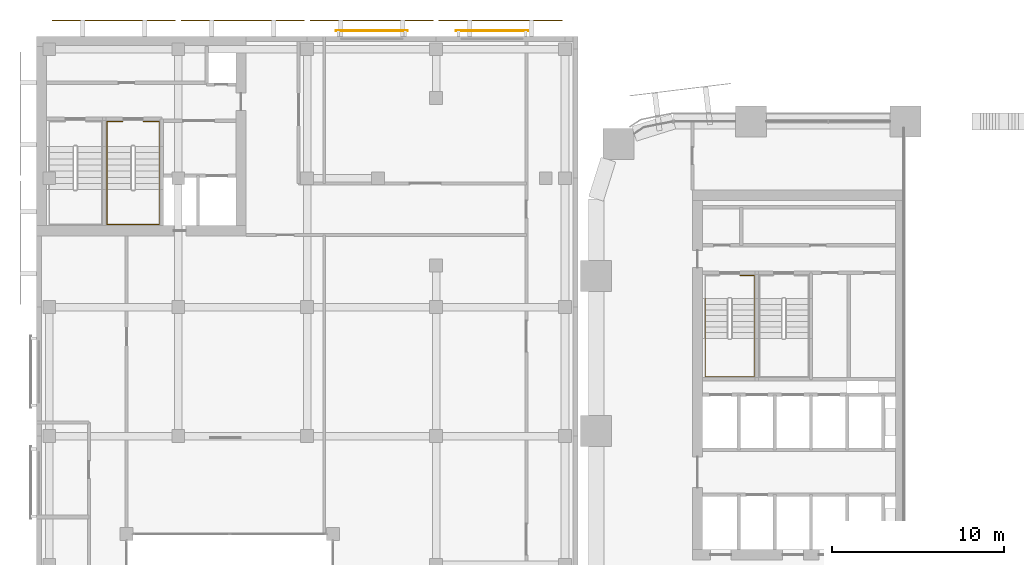
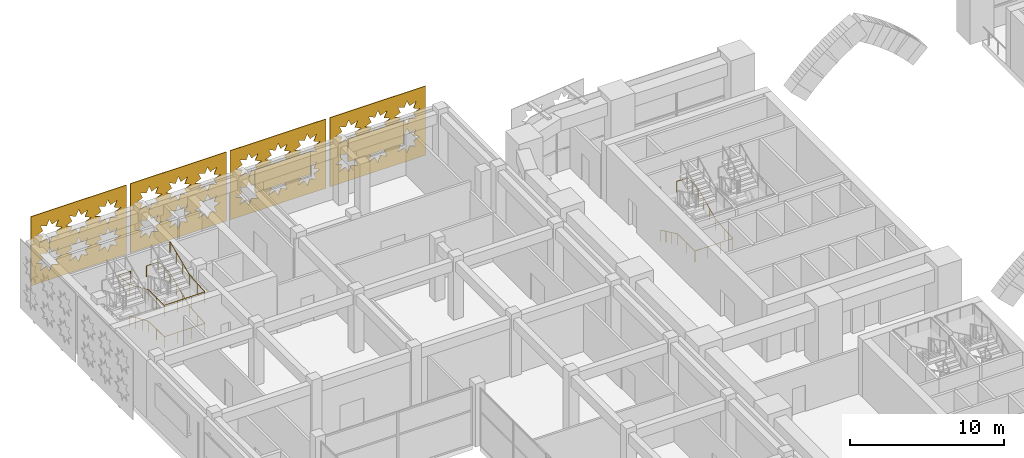
# One storey, part 37 of 40: 6 coverings, 3 railings.
"""IFC4 building model written with IfcOpenShell, lengths in metres."""

from ifc_helpers import new_model, si_unit, direction, frame, origin, origin_2d, place, context, subcontext, project, spatial, polyline, rectangle, circle, outline, extrude, material, layer, layer_set, type_object, element, save


model = new_model("IFC4")

# Units and contexts
model_context = context("Model", 3, precision=1e-05, world=origin(), true_north=direction((0.0, 1.0)))
body_context = subcontext(model_context, "Body", "Model", "MODEL_VIEW")
ifc_project = project(units=[si_unit("LENGTHUNIT", "METRE"), si_unit("AREAUNIT", "SQUARE_METRE"), si_unit("VOLUMEUNIT", "CUBIC_METRE"), si_unit("PLANEANGLEUNIT", "RADIAN"), si_unit("MASSUNIT", "GRAM", prefix="KILO")], contexts=[model_context])

# Site, building, storey
site_placement = place(None, origin())
site = spatial("IfcSite", under=ifc_project, at=site_placement, CompositionType="ELEMENT")
building_placement = place(site_placement, origin())
building = spatial("IfcBuilding", under=site, at=building_placement, Name="Tessera Arch", CompositionType="ELEMENT")
storey_placement = place(building_placement, frame((0.0, 0.0, 21.0)))
storey = spatial("IfcBuildingStorey", under=building, at=storey_placement, Name="L03", CompositionType="ELEMENT", Elevation=21.0)

# Coverings
ifc_material_1 = material(Name="Anodised aluminium pale metal", Category="aluminium")
ifc_layer_1 = layer(ifc_material_1, 0.050048828125)
ifc_layer_set_1 = layer_set([ifc_layer_1], Name="Museum lattice skin panel")
covering_type_1 = type_object("IfcCoveringType", Name="Museum lattice skin panel", PredefinedType="CLADDING", material=ifc_layer_set_1)
covering_1_placement = place(storey_placement, frame((-1.949951171875, 59.85009765625, 5.60009765625), z_axis=(0.0, -1.0, 0.0), x_axis=(-1.0, 0.0, 0.0)))
element("IfcCovering", 1, at=covering_1_placement, inside=storey, type_object=covering_type_1, Name="Museum lattice skin L03 5-2", PredefinedType="CLADDING", context=body_context, shape_type="SweptSolid", body=[
    extrude(outline(polyline([(0.0, 0.0), (7.199951171875, 0.0), (7.199951171875, 5.5), (0.0, 5.5), (0.0, 0.0)]), holes=[polyline([(2.3681640625, 3.85009765625), (1.887939453125, 3.648193359375), (2.083984375, 3.166015625), (1.60205078125, 3.362060546875), (1.400146484375, 2.882080078125), (1.197998046875, 3.362060546875), (0.716064453125, 3.166015625), (0.912109375, 3.648193359375), (0.43212890625, 3.85009765625), (0.912109375, 4.052001953125), (0.716064453125, 4.5341796875), (1.197998046875, 4.338134765625), (1.400146484375, 4.818115234375), (1.60205078125, 4.338134765625), (2.083984375, 4.5341796875), (1.887939453125, 4.052001953125), (2.3681640625, 3.85009765625)]), polyline([(2.3681640625, 1.650146484375), (1.887939453125, 1.447998046875), (2.083984375, 0.966064453125), (1.60205078125, 1.162109375), (1.400146484375, 0.68212890625), (1.197998046875, 1.162109375), (0.716064453125, 0.966064453125), (0.912109375, 1.447998046875), (0.43212890625, 1.650146484375), (0.912109375, 1.85205078125), (0.716064453125, 2.333984375), (1.197998046875, 2.13818359375), (1.400146484375, 2.6181640625), (1.60205078125, 2.13818359375), (2.083984375, 2.333984375), (1.887939453125, 1.85205078125), (2.3681640625, 1.650146484375)]), polyline([(4.568115234375, 3.85009765625), (4.088134765625, 3.648193359375), (4.283935546875, 3.166015625), (3.802001953125, 3.362060546875), (3.60009765625, 2.882080078125), (3.39794921875, 3.362060546875), (2.916015625, 3.166015625), (3.112060546875, 3.648193359375), (2.632080078125, 3.85009765625), (3.112060546875, 4.052001953125), (2.916015625, 4.5341796875), (3.39794921875, 4.338134765625), (3.60009765625, 4.818115234375), (3.802001953125, 4.338134765625), (4.283935546875, 4.5341796875), (4.088134765625, 4.052001953125), (4.568115234375, 3.85009765625)]), polyline([(4.568115234375, 1.650146484375), (4.088134765625, 1.447998046875), (4.283935546875, 0.966064453125), (3.802001953125, 1.162109375), (3.60009765625, 0.68212890625), (3.39794921875, 1.162109375), (2.916015625, 0.966064453125), (3.112060546875, 1.447998046875), (2.632080078125, 1.650146484375), (3.112060546875, 1.85205078125), (2.916015625, 2.333984375), (3.39794921875, 2.13818359375), (3.60009765625, 2.6181640625), (3.802001953125, 2.13818359375), (4.283935546875, 2.333984375), (4.088134765625, 1.85205078125), (4.568115234375, 1.650146484375)]), polyline([(6.76806640625, 3.85009765625), (6.2880859375, 3.648193359375), (6.484130859375, 3.166015625), (6.001953125, 3.362060546875), (5.800048828125, 2.882080078125), (5.59814453125, 3.362060546875), (5.115966796875, 3.166015625), (5.31201171875, 3.648193359375), (4.83203125, 3.85009765625), (5.31201171875, 4.052001953125), (5.115966796875, 4.5341796875), (5.59814453125, 4.338134765625), (5.800048828125, 4.818115234375), (6.001953125, 4.338134765625), (6.484130859375, 4.5341796875), (6.2880859375, 4.052001953125), (6.76806640625, 3.85009765625)]), polyline([(6.76806640625, 1.650146484375), (6.2880859375, 1.447998046875), (6.484130859375, 0.966064453125), (6.001953125, 1.162109375), (5.800048828125, 0.68212890625), (5.59814453125, 1.162109375), (5.115966796875, 0.966064453125), (5.31201171875, 1.447998046875), (4.83203125, 1.650146484375), (5.31201171875, 1.85205078125), (5.115966796875, 2.333984375), (5.59814453125, 2.13818359375), (5.800048828125, 2.6181640625), (6.001953125, 2.13818359375), (6.484130859375, 2.333984375), (6.2880859375, 1.85205078125), (6.76806640625, 1.650146484375)])]), origin(), (0.0, 0.0, -1.0), 0.050048828125),
])
covering_2_placement = place(storey_placement, frame((-9.449951171875, 59.85009765625, 5.60009765625), z_axis=(0.0, -1.0, 0.0), x_axis=(-1.0, 0.0, 0.0)))
element("IfcCovering", 2, at=covering_2_placement, inside=storey, type_object=covering_type_1, Name="Museum lattice skin L03 5-3", PredefinedType="CLADDING", context=body_context, shape_type="SweptSolid", body=[
    extrude(outline(polyline([(0.0, 0.0), (7.199951171875, 0.0), (7.199951171875, 5.5), (0.0, 5.5), (0.0, 0.0)]), holes=[polyline([(2.3681640625, 3.85009765625), (1.887939453125, 3.648193359375), (2.083984375, 3.166015625), (1.60205078125, 3.362060546875), (1.400146484375, 2.882080078125), (1.197998046875, 3.362060546875), (0.716064453125, 3.166015625), (0.912109375, 3.648193359375), (0.43212890625, 3.85009765625), (0.912109375, 4.052001953125), (0.716064453125, 4.5341796875), (1.197998046875, 4.338134765625), (1.400146484375, 4.818115234375), (1.60205078125, 4.338134765625), (2.083984375, 4.5341796875), (1.887939453125, 4.052001953125), (2.3681640625, 3.85009765625)]), polyline([(2.3681640625, 1.650146484375), (1.887939453125, 1.447998046875), (2.083984375, 0.966064453125), (1.60205078125, 1.162109375), (1.400146484375, 0.68212890625), (1.197998046875, 1.162109375), (0.716064453125, 0.966064453125), (0.912109375, 1.447998046875), (0.43212890625, 1.650146484375), (0.912109375, 1.85205078125), (0.716064453125, 2.333984375), (1.197998046875, 2.13818359375), (1.400146484375, 2.6181640625), (1.60205078125, 2.13818359375), (2.083984375, 2.333984375), (1.887939453125, 1.85205078125), (2.3681640625, 1.650146484375)]), polyline([(4.568115234375, 3.85009765625), (4.088134765625, 3.648193359375), (4.283935546875, 3.166015625), (3.802001953125, 3.362060546875), (3.60009765625, 2.882080078125), (3.39794921875, 3.362060546875), (2.916015625, 3.166015625), (3.112060546875, 3.648193359375), (2.632080078125, 3.85009765625), (3.112060546875, 4.052001953125), (2.916015625, 4.5341796875), (3.39794921875, 4.338134765625), (3.60009765625, 4.818115234375), (3.802001953125, 4.338134765625), (4.283935546875, 4.5341796875), (4.088134765625, 4.052001953125), (4.568115234375, 3.85009765625)]), polyline([(4.568115234375, 1.650146484375), (4.088134765625, 1.447998046875), (4.283935546875, 0.966064453125), (3.802001953125, 1.162109375), (3.60009765625, 0.68212890625), (3.39794921875, 1.162109375), (2.916015625, 0.966064453125), (3.112060546875, 1.447998046875), (2.632080078125, 1.650146484375), (3.112060546875, 1.85205078125), (2.916015625, 2.333984375), (3.39794921875, 2.13818359375), (3.60009765625, 2.6181640625), (3.802001953125, 2.13818359375), (4.283935546875, 2.333984375), (4.088134765625, 1.85205078125), (4.568115234375, 1.650146484375)]), polyline([(6.76806640625, 3.85009765625), (6.2880859375, 3.648193359375), (6.484130859375, 3.166015625), (6.001953125, 3.362060546875), (5.800048828125, 2.882080078125), (5.59814453125, 3.362060546875), (5.115966796875, 3.166015625), (5.31201171875, 3.648193359375), (4.83203125, 3.85009765625), (5.31201171875, 4.052001953125), (5.115966796875, 4.5341796875), (5.59814453125, 4.338134765625), (5.800048828125, 4.818115234375), (6.001953125, 4.338134765625), (6.484130859375, 4.5341796875), (6.2880859375, 4.052001953125), (6.76806640625, 3.85009765625)]), polyline([(6.76806640625, 1.650146484375), (6.2880859375, 1.447998046875), (6.484130859375, 0.966064453125), (6.001953125, 1.162109375), (5.800048828125, 0.68212890625), (5.59814453125, 1.162109375), (5.115966796875, 0.966064453125), (5.31201171875, 1.447998046875), (4.83203125, 1.650146484375), (5.31201171875, 1.85205078125), (5.115966796875, 2.333984375), (5.59814453125, 2.13818359375), (5.800048828125, 2.6181640625), (6.001953125, 2.13818359375), (6.484130859375, 2.333984375), (6.2880859375, 1.85205078125), (6.76806640625, 1.650146484375)])]), origin(), (0.0, 0.0, -1.0), 0.050048828125),
])
covering_3_placement = place(storey_placement, frame((-16.949951171875, 59.85009765625, 5.60009765625), z_axis=(0.0, -1.0, 0.0), x_axis=(-1.0, 0.0, 0.0)))
element("IfcCovering", 3, at=covering_3_placement, inside=storey, type_object=covering_type_1, Name="Museum lattice skin L03 5-4", PredefinedType="CLADDING", context=body_context, shape_type="SweptSolid", body=[
    extrude(outline(polyline([(0.0, 0.0), (7.199951171875, 0.0), (7.199951171875, 5.5), (0.0, 5.5), (0.0, 0.0)]), holes=[polyline([(2.3681640625, 3.85009765625), (1.887939453125, 3.648193359375), (2.083984375, 3.166015625), (1.60205078125, 3.362060546875), (1.400146484375, 2.882080078125), (1.197998046875, 3.362060546875), (0.716064453125, 3.166015625), (0.912109375, 3.648193359375), (0.43212890625, 3.85009765625), (0.912109375, 4.052001953125), (0.716064453125, 4.5341796875), (1.197998046875, 4.338134765625), (1.400146484375, 4.818115234375), (1.60205078125, 4.338134765625), (2.083984375, 4.5341796875), (1.887939453125, 4.052001953125), (2.3681640625, 3.85009765625)]), polyline([(2.3681640625, 1.650146484375), (1.887939453125, 1.447998046875), (2.083984375, 0.966064453125), (1.60205078125, 1.162109375), (1.400146484375, 0.68212890625), (1.197998046875, 1.162109375), (0.716064453125, 0.966064453125), (0.912109375, 1.447998046875), (0.43212890625, 1.650146484375), (0.912109375, 1.85205078125), (0.716064453125, 2.333984375), (1.197998046875, 2.13818359375), (1.400146484375, 2.6181640625), (1.60205078125, 2.13818359375), (2.083984375, 2.333984375), (1.887939453125, 1.85205078125), (2.3681640625, 1.650146484375)]), polyline([(4.568115234375, 3.85009765625), (4.088134765625, 3.648193359375), (4.283935546875, 3.166015625), (3.802001953125, 3.362060546875), (3.60009765625, 2.882080078125), (3.39794921875, 3.362060546875), (2.916015625, 3.166015625), (3.112060546875, 3.648193359375), (2.632080078125, 3.85009765625), (3.112060546875, 4.052001953125), (2.916015625, 4.5341796875), (3.39794921875, 4.338134765625), (3.60009765625, 4.818115234375), (3.802001953125, 4.338134765625), (4.283935546875, 4.5341796875), (4.088134765625, 4.052001953125), (4.568115234375, 3.85009765625)]), polyline([(4.568115234375, 1.650146484375), (4.088134765625, 1.447998046875), (4.283935546875, 0.966064453125), (3.802001953125, 1.162109375), (3.60009765625, 0.68212890625), (3.39794921875, 1.162109375), (2.916015625, 0.966064453125), (3.112060546875, 1.447998046875), (2.632080078125, 1.650146484375), (3.112060546875, 1.85205078125), (2.916015625, 2.333984375), (3.39794921875, 2.13818359375), (3.60009765625, 2.6181640625), (3.802001953125, 2.13818359375), (4.283935546875, 2.333984375), (4.088134765625, 1.85205078125), (4.568115234375, 1.650146484375)]), polyline([(6.76806640625, 3.85009765625), (6.2880859375, 3.648193359375), (6.484130859375, 3.166015625), (6.001953125, 3.362060546875), (5.800048828125, 2.882080078125), (5.59814453125, 3.362060546875), (5.115966796875, 3.166015625), (5.31201171875, 3.648193359375), (4.83203125, 3.85009765625), (5.31201171875, 4.052001953125), (5.115966796875, 4.5341796875), (5.59814453125, 4.338134765625), (5.800048828125, 4.818115234375), (6.001953125, 4.338134765625), (6.484130859375, 4.5341796875), (6.2880859375, 4.052001953125), (6.76806640625, 3.85009765625)]), polyline([(6.76806640625, 1.650146484375), (6.2880859375, 1.447998046875), (6.484130859375, 0.966064453125), (6.001953125, 1.162109375), (5.800048828125, 0.68212890625), (5.59814453125, 1.162109375), (5.115966796875, 0.966064453125), (5.31201171875, 1.447998046875), (4.83203125, 1.650146484375), (5.31201171875, 1.85205078125), (5.115966796875, 2.333984375), (5.59814453125, 2.13818359375), (5.800048828125, 2.6181640625), (6.001953125, 2.13818359375), (6.484130859375, 2.333984375), (6.2880859375, 1.85205078125), (6.76806640625, 1.650146484375)])]), origin(), (0.0, 0.0, -1.0), 0.050048828125),
])
covering_4_placement = place(storey_placement, frame((-24.449951171875, 59.85009765625, 5.60009765625), z_axis=(0.0, -1.0, 0.0), x_axis=(-1.0, 0.0, 0.0)))
element("IfcCovering", 4, at=covering_4_placement, inside=storey, type_object=covering_type_1, Name="Museum lattice skin L03 5-5", PredefinedType="CLADDING", context=body_context, shape_type="SweptSolid", body=[
    extrude(outline(polyline([(0.0, 0.0), (7.199951171875, 0.0), (7.199951171875, 5.5), (0.0, 5.5), (0.0, 0.0)]), holes=[polyline([(2.3681640625, 3.85009765625), (1.887939453125, 3.648193359375), (2.083984375, 3.166015625), (1.60205078125, 3.362060546875), (1.400146484375, 2.882080078125), (1.197998046875, 3.362060546875), (0.716064453125, 3.166015625), (0.912109375, 3.648193359375), (0.43212890625, 3.85009765625), (0.912109375, 4.052001953125), (0.716064453125, 4.5341796875), (1.197998046875, 4.338134765625), (1.400146484375, 4.818115234375), (1.60205078125, 4.338134765625), (2.083984375, 4.5341796875), (1.887939453125, 4.052001953125), (2.3681640625, 3.85009765625)]), polyline([(2.3681640625, 1.650146484375), (1.887939453125, 1.447998046875), (2.083984375, 0.966064453125), (1.60205078125, 1.162109375), (1.400146484375, 0.68212890625), (1.197998046875, 1.162109375), (0.716064453125, 0.966064453125), (0.912109375, 1.447998046875), (0.43212890625, 1.650146484375), (0.912109375, 1.85205078125), (0.716064453125, 2.333984375), (1.197998046875, 2.13818359375), (1.400146484375, 2.6181640625), (1.60205078125, 2.13818359375), (2.083984375, 2.333984375), (1.887939453125, 1.85205078125), (2.3681640625, 1.650146484375)]), polyline([(4.568115234375, 3.85009765625), (4.088134765625, 3.648193359375), (4.283935546875, 3.166015625), (3.802001953125, 3.362060546875), (3.60009765625, 2.882080078125), (3.39794921875, 3.362060546875), (2.916015625, 3.166015625), (3.112060546875, 3.648193359375), (2.632080078125, 3.85009765625), (3.112060546875, 4.052001953125), (2.916015625, 4.5341796875), (3.39794921875, 4.338134765625), (3.60009765625, 4.818115234375), (3.802001953125, 4.338134765625), (4.283935546875, 4.5341796875), (4.088134765625, 4.052001953125), (4.568115234375, 3.85009765625)]), polyline([(4.568115234375, 1.650146484375), (4.088134765625, 1.447998046875), (4.283935546875, 0.966064453125), (3.802001953125, 1.162109375), (3.60009765625, 0.68212890625), (3.39794921875, 1.162109375), (2.916015625, 0.966064453125), (3.112060546875, 1.447998046875), (2.632080078125, 1.650146484375), (3.112060546875, 1.85205078125), (2.916015625, 2.333984375), (3.39794921875, 2.13818359375), (3.60009765625, 2.6181640625), (3.802001953125, 2.13818359375), (4.283935546875, 2.333984375), (4.088134765625, 1.85205078125), (4.568115234375, 1.650146484375)]), polyline([(6.76806640625, 3.85009765625), (6.2880859375, 3.648193359375), (6.484130859375, 3.166015625), (6.001953125, 3.362060546875), (5.800048828125, 2.882080078125), (5.59814453125, 3.362060546875), (5.115966796875, 3.166015625), (5.31201171875, 3.648193359375), (4.83203125, 3.85009765625), (5.31201171875, 4.052001953125), (5.115966796875, 4.5341796875), (5.59814453125, 4.338134765625), (5.800048828125, 4.818115234375), (6.001953125, 4.338134765625), (6.484130859375, 4.5341796875), (6.2880859375, 4.052001953125), (6.76806640625, 3.85009765625)]), polyline([(6.76806640625, 1.650146484375), (6.2880859375, 1.447998046875), (6.484130859375, 0.966064453125), (6.001953125, 1.162109375), (5.800048828125, 0.68212890625), (5.59814453125, 1.162109375), (5.115966796875, 0.966064453125), (5.31201171875, 1.447998046875), (4.83203125, 1.650146484375), (5.31201171875, 1.85205078125), (5.115966796875, 2.333984375), (5.59814453125, 2.13818359375), (5.800048828125, 2.6181640625), (6.001953125, 2.13818359375), (6.484130859375, 2.333984375), (6.2880859375, 1.85205078125), (6.76806640625, 1.650146484375)])]), origin(), (0.0, 0.0, -1.0), 0.050048828125),
])
ifc_material_2 = material(Name="Anodised aluminium pale metal", Category="aluminium")
ifc_layer_2 = layer(ifc_material_2, 0.0400390625)
ifc_layer_set_2 = layer_set([ifc_layer_2], Name="Museum screen panel")
covering_type_2 = type_object("IfcCoveringType", Name="Museum screen panel", PredefinedType="CLADDING", material=ifc_layer_set_2)
for number, where, z_axis, x_axis, name in (
    (5, (-6.050048828125, 59.27001953125, 2.10009765625), (0.0, 0.0, 1.0), (-1.0, 0.0, 0.0), "Screen panel museum L03 5-2"),
    (6, (-13.050048828125, 59.27001953125, 2.10009765625), (0.0, 0.0, 1.0), (-1.0, 0.0, 0.0), "Screen panel museum L03 5-3"),
):
    element("IfcCovering", number, at=place(storey_placement, frame(where, z_axis=z_axis, x_axis=x_axis)), inside=storey, type_object=covering_type_2, Name=name, PredefinedType="CLADDING", context=body_context, shape_type="SweptSolid", body=[
        extrude(rectangle(XDim=4.199951171875, YDim=0.0400390625, at=origin_2d()), origin(), (0.0, 0.0, 1.0), 1.800048828125),
    ])

# Railings
ifc_material_3 = material(Name="Painted steel handrail", Category="steel")
railing_type = type_object("IfcRailingType", Name="Stair handrail 900", PredefinedType="HANDRAIL", material=ifc_material_3)
railing_1_placement = place(storey_placement, frame((-28.449951171875, 52.550048828125, 0.15625)))
element("IfcRailing", 7, at=railing_1_placement, inside=storey, type_object=railing_type, Name="L03 M1b stair handrail", PredefinedType="HANDRAIL", context=body_context, shape_type="SweptSolid", body=[
    extrude(circle(Radius=0.02392578125, at=origin_2d()), frame((0.0, 0.003662109375, 0.874267578125), z_axis=(0.0, -0.917324189904, 0.398141093855), x_axis=(1.0, 0.0, 0.0)), (0.0, 0.0, 1.0), 2.755126953125),
    extrude(circle(Radius=0.02392578125, at=origin_2d()), frame((0.0, -2.51611328125, 1.9697265625), z_axis=(0.0, -1.0, 0.0), x_axis=(1.0, 0.0, 0.0)), (0.0, 0.0, 1.0), 2.0380859375),
    extrude(circle(Radius=0.02392578125, at=origin_2d()), frame((-0.00390625, -4.550048828125, 1.9697265625), z_axis=(1.0, 0.0, 0.0), x_axis=(0.0, 1.0, 0.0)), (0.0, 0.0, 1.0), 3.05810546875),
    extrude(circle(Radius=0.02392578125, at=origin_2d()), frame((3.050048828125, -4.553955078125, 1.96923828125), z_axis=(0.0, 0.997050957685, 0.076742346713), x_axis=(-1.0, 0.0, 0.0)), (0.0, 0.0, 1.0), 2.0439453125),
    extrude(circle(Radius=0.02392578125, at=origin_2d()), frame((3.050048828125, -2.523681640625, 2.124267578125), z_axis=(0.0, 0.917324189904, 0.398141093855), x_axis=(-1.0, 0.0, 0.0)), (0.0, 0.0, 1.0), 2.755126953125),
    extrude(circle(Radius=0.02392578125, at=origin_2d()), frame((3.050048828125, -0.00390625, 3.2197265625), z_axis=(0.0, 1.0, 0.0), x_axis=(-1.0, 0.0, 0.0)), (0.0, 0.0, 1.0), 1.4580078125),
    extrude(circle(Radius=0.02392578125, at=origin_2d()), frame((3.053955078125, 1.449951171875, 3.2197265625), z_axis=(-1.0, 0.0, 0.0), x_axis=(0.0, -1.0, 0.0)), (0.0, 0.0, 1.0), 0.93310546875),
    extrude(circle(Radius=0.02099609375, at=origin_2d()), origin(), (0.0, 0.0, 1.0), 0.86376953125),
    extrude(circle(Radius=0.02099609375, at=origin_2d()), frame((0.0, -0.840087890625, 0.364501953125)), (0.0, 0.0, 1.0), 0.86376953125),
    extrude(circle(Radius=0.02099609375, at=origin_2d()), frame((0.0, -1.679931640625, 0.729248046875)), (0.0, 0.0, 1.0), 0.86376953125),
    extrude(circle(Radius=0.02099609375, at=origin_2d()), frame((0.0, -2.52001953125, 1.09375)), (0.0, 0.0, 1.0), 0.86376953125),
    extrude(circle(Radius=0.02099609375, at=origin_2d()), frame((0.0, -3.53515625, 1.09375)), (0.0, 0.0, 1.0), 0.86376953125),
    extrude(circle(Radius=0.02099609375, at=origin_2d()), frame((0.0, -4.550048828125, 1.09375)), (0.0, 0.0, 1.0), 0.86376953125),
    extrude(circle(Radius=0.02099609375, at=origin_2d()), frame((1.0166015625, -4.550048828125, 1.09375)), (0.0, 0.0, 1.0), 0.86376953125),
    extrude(circle(Radius=0.02099609375, at=origin_2d()), frame((2.033447265625, -4.550048828125, 1.09375)), (0.0, 0.0, 1.0), 0.86376953125),
    extrude(circle(Radius=0.02099609375, at=origin_2d()), frame((3.050048828125, -4.550048828125, 1.09375)), (0.0, 0.0, 1.0), 0.86376953125),
    extrude(circle(Radius=0.02099609375, at=origin_2d()), frame((3.050048828125, -3.53515625, 1.171875)), (0.0, 0.0, 1.0), 0.86376953125),
    extrude(circle(Radius=0.02099609375, at=origin_2d()), frame((3.050048828125, -2.52001953125, 1.25)), (0.0, 0.0, 1.0), 0.86376953125),
    extrude(circle(Radius=0.02099609375, at=origin_2d()), frame((3.050048828125, -1.679931640625, 1.614501953125)), (0.0, 0.0, 1.0), 0.86376953125),
    extrude(circle(Radius=0.02099609375, at=origin_2d()), frame((3.050048828125, -0.840087890625, 1.979248046875)), (0.0, 0.0, 1.0), 0.86376953125),
    extrude(circle(Radius=0.02099609375, at=origin_2d()), frame((3.050048828125, 0.0, 2.34375)), (0.0, 0.0, 1.0), 0.86376953125),
    extrude(circle(Radius=0.02099609375, at=origin_2d()), frame((3.050048828125, 0.72509765625, 2.34375)), (0.0, 0.0, 1.0), 0.86376953125),
    extrude(circle(Radius=0.02099609375, at=origin_2d()), frame((3.050048828125, 1.449951171875, 2.34375)), (0.0, 0.0, 1.0), 0.86376953125),
    extrude(circle(Radius=0.02099609375, at=origin_2d()), frame((2.125, 1.449951171875, 2.34375)), (0.0, 0.0, 1.0), 0.86376953125),
])
railing_2_placement = place(storey_placement, frame((-27.52490234375, 54.0, 2.5)))
element("IfcRailing", 8, at=railing_2_placement, inside=storey, type_object=railing_type, Name="L03 M1b stair handrail 2", PredefinedType="HANDRAIL", context=body_context, shape_type="SweptSolid", body=[
    extrude(circle(Radius=0.02392578125, at=origin_2d()), frame((0.00390625, 0.0, 0.8759765625), z_axis=(-1.0, 0.0, 0.0), x_axis=(0.0, -1.0, 0.0)), (0.0, 0.0, 1.0), 0.93310546875),
    extrude(circle(Radius=0.02392578125, at=origin_2d()), frame((-0.925048828125, 0.00390625, 0.87548828125), z_axis=(0.0, -0.994243734896, 0.10714194146), x_axis=(1.0, 0.0, 0.0)), (0.0, 0.0, 1.0), 1.46630859375),
    extrude(circle(Radius=0.02392578125, at=origin_2d()), frame((-0.925048828125, -1.4462890625, 1.030517578125), z_axis=(0.0, -0.917324189904, 0.398141093855), x_axis=(1.0, 0.0, 0.0)), (0.0, 0.0, 1.0), 2.755126953125),
    extrude(circle(Radius=0.02392578125, at=origin_2d()), frame((-0.925048828125, -3.966064453125, 2.1259765625), z_axis=(0.0, -1.0, 0.0), x_axis=(1.0, 0.0, 0.0)), (0.0, 0.0, 1.0), 2.0380859375),
    extrude(circle(Radius=0.02392578125, at=origin_2d()), frame((-0.928955078125, -6.0, 2.1259765625), z_axis=(1.0, 0.0, 0.0), x_axis=(0.0, 1.0, 0.0)), (0.0, 0.0, 1.0), 3.05810546875),
    extrude(circle(Radius=0.02392578125, at=origin_2d()), frame((2.125, -6.00390625, 2.12548828125), z_axis=(0.0, 0.997050957685, 0.076742346713), x_axis=(-1.0, 0.0, 0.0)), (0.0, 0.0, 1.0), 2.0439453125),
    extrude(circle(Radius=0.02392578125, at=origin_2d()), frame((2.125, -3.9736328125, 2.280517578125), z_axis=(0.0, 0.917324189904, 0.398141093855), x_axis=(-1.0, 0.0, 0.0)), (0.0, 0.0, 1.0), 2.755126953125),
    extrude(circle(Radius=0.02099609375, at=origin_2d()), origin(), (0.0, 0.0, 1.0), 0.86376953125),
    extrude(circle(Radius=0.02099609375, at=origin_2d()), frame((-0.925048828125, 0.0, 0.0)), (0.0, 0.0, 1.0), 0.86376953125),
    extrude(circle(Radius=0.02099609375, at=origin_2d()), frame((-0.925048828125, -0.72509765625, 0.078125)), (0.0, 0.0, 1.0), 0.86376953125),
    extrude(circle(Radius=0.02099609375, at=origin_2d()), frame((-0.925048828125, -1.449951171875, 0.15625)), (0.0, 0.0, 1.0), 0.86376953125),
    extrude(circle(Radius=0.02099609375, at=origin_2d()), frame((-0.925048828125, -2.2900390625, 0.520751953125)), (0.0, 0.0, 1.0), 0.86376953125),
    extrude(circle(Radius=0.02099609375, at=origin_2d()), frame((-0.925048828125, -3.1298828125, 0.885498046875)), (0.0, 0.0, 1.0), 0.86376953125),
    extrude(circle(Radius=0.02099609375, at=origin_2d()), frame((-0.925048828125, -3.969970703125, 1.25)), (0.0, 0.0, 1.0), 0.86376953125),
    extrude(circle(Radius=0.02099609375, at=origin_2d()), frame((-0.925048828125, -4.98486328125, 1.25)), (0.0, 0.0, 1.0), 0.86376953125),
    extrude(circle(Radius=0.02099609375, at=origin_2d()), frame((-0.925048828125, -6.0, 1.25)), (0.0, 0.0, 1.0), 0.86376953125),
    extrude(circle(Radius=0.02099609375, at=origin_2d()), frame((0.091552734375, -6.0, 1.25)), (0.0, 0.0, 1.0), 0.86376953125),
    extrude(circle(Radius=0.02099609375, at=origin_2d()), frame((1.1083984375, -6.0, 1.25)), (0.0, 0.0, 1.0), 0.86376953125),
    extrude(circle(Radius=0.02099609375, at=origin_2d()), frame((2.125, -6.0, 1.25)), (0.0, 0.0, 1.0), 0.86376953125),
    extrude(circle(Radius=0.02099609375, at=origin_2d()), frame((2.125, -4.98486328125, 1.328125)), (0.0, 0.0, 1.0), 0.86376953125),
    extrude(circle(Radius=0.02099609375, at=origin_2d()), frame((2.125, -3.969970703125, 1.40625)), (0.0, 0.0, 1.0), 0.86376953125),
    extrude(circle(Radius=0.02099609375, at=origin_2d()), frame((2.125, -3.1298828125, 1.770751953125)), (0.0, 0.0, 1.0), 0.86376953125),
    extrude(circle(Radius=0.02099609375, at=origin_2d()), frame((2.125, -2.2900390625, 2.135498046875)), (0.0, 0.0, 1.0), 0.86376953125),
    extrude(circle(Radius=0.02099609375, at=origin_2d()), frame((2.125, -1.449951171875, 2.5)), (0.0, 0.0, 1.0), 0.86376953125),
])
railing_3_placement = place(storey_placement, frame((6.35009765625, 43.699951171875, 0.15625)))
element("IfcRailing", 9, at=railing_3_placement, inside=storey, type_object=railing_type, Name="L03 S2a stair handrail", PredefinedType="HANDRAIL", context=body_context, shape_type="SweptSolid", body=[
    extrude(circle(Radius=0.02392578125, at=origin_2d()), frame((0.0, 0.003662109375, 0.8740234375), z_axis=(0.0, -0.903811734687, 0.427930307694), x_axis=(1.0, 0.0, 0.0)), (0.0, 0.0, 1.0), 2.56396484375),
    extrude(circle(Radius=0.02392578125, at=origin_2d()), frame((0.0, -2.30615234375, 1.9697265625), z_axis=(0.0, -1.0, 0.0), x_axis=(1.0, 0.0, 0.0)), (0.0, 0.0, 1.0), 2.248046875),
    extrude(circle(Radius=0.02392578125, at=origin_2d()), frame((-0.00390625, -4.550048828125, 1.9697265625), z_axis=(1.0, 0.0, 0.0), x_axis=(0.0, 1.0, 0.0)), (0.0, 0.0, 1.0), 2.85791015625),
    extrude(circle(Radius=0.02392578125, at=origin_2d()), frame((2.849853515625, -4.553955078125, 1.96923828125), z_axis=(0.0, 0.997575978536, 0.069585681337), x_axis=(-1.0, 0.0, 0.0)), (0.0, 0.0, 1.0), 2.25341796875),
    extrude(circle(Radius=0.02392578125, at=origin_2d()), frame((2.849853515625, -2.313720703125, 2.1240234375), z_axis=(0.0, 0.903811734687, 0.427930307694), x_axis=(-1.0, 0.0, 0.0)), (0.0, 0.0, 1.0), 2.56396484375),
    extrude(circle(Radius=0.02392578125, at=origin_2d()), frame((2.849853515625, -0.00390625, 3.2197265625), z_axis=(0.0, 1.0, 0.0), x_axis=(-1.0, 0.0, 0.0)), (0.0, 0.0, 1.0), 1.358154296875),
    extrude(circle(Radius=0.02392578125, at=origin_2d()), frame((2.853759765625, 1.35009765625, 3.2197265625), z_axis=(-1.0, 0.0, 0.0), x_axis=(0.0, -1.0, 0.0)), (0.0, 0.0, 1.0), 0.8330078125),
    extrude(circle(Radius=0.02099609375, at=origin_2d()), origin(), (0.0, 0.0, 1.0), 0.86376953125),
    extrude(circle(Radius=0.02099609375, at=origin_2d()), frame((0.0, -0.77001953125, 0.364501953125)), (0.0, 0.0, 1.0), 0.86376953125),
    extrude(circle(Radius=0.02099609375, at=origin_2d()), frame((0.0, -1.5400390625, 0.729248046875)), (0.0, 0.0, 1.0), 0.86376953125),
    extrude(circle(Radius=0.02099609375, at=origin_2d()), frame((0.0, -2.31005859375, 1.09375)), (0.0, 0.0, 1.0), 0.86376953125),
    extrude(circle(Radius=0.02099609375, at=origin_2d()), frame((0.0, -3.43017578125, 1.09375)), (0.0, 0.0, 1.0), 0.86376953125),
    extrude(circle(Radius=0.02099609375, at=origin_2d()), frame((0.0, -4.550048828125, 1.09375)), (0.0, 0.0, 1.0), 0.86376953125),
    extrude(circle(Radius=0.02099609375, at=origin_2d()), frame((0.949951171875, -4.550048828125, 1.09375)), (0.0, 0.0, 1.0), 0.86376953125),
    extrude(circle(Radius=0.02099609375, at=origin_2d()), frame((1.89990234375, -4.550048828125, 1.09375)), (0.0, 0.0, 1.0), 0.86376953125),
    extrude(circle(Radius=0.02099609375, at=origin_2d()), frame((2.849853515625, -4.550048828125, 1.09375)), (0.0, 0.0, 1.0), 0.86376953125),
    extrude(circle(Radius=0.02099609375, at=origin_2d()), frame((2.849853515625, -3.43017578125, 1.171875)), (0.0, 0.0, 1.0), 0.86376953125),
    extrude(circle(Radius=0.02099609375, at=origin_2d()), frame((2.849853515625, -2.31005859375, 1.25)), (0.0, 0.0, 1.0), 0.86376953125),
    extrude(circle(Radius=0.02099609375, at=origin_2d()), frame((2.849853515625, -1.5400390625, 1.614501953125)), (0.0, 0.0, 1.0), 0.86376953125),
    extrude(circle(Radius=0.02099609375, at=origin_2d()), frame((2.849853515625, -0.77001953125, 1.979248046875)), (0.0, 0.0, 1.0), 0.86376953125),
    extrude(circle(Radius=0.02099609375, at=origin_2d()), frame((2.849853515625, 0.0, 2.34375)), (0.0, 0.0, 1.0), 0.86376953125),
    extrude(circle(Radius=0.02099609375, at=origin_2d()), frame((2.849853515625, 0.675048828125, 2.34375)), (0.0, 0.0, 1.0), 0.86376953125),
    extrude(circle(Radius=0.02099609375, at=origin_2d()), frame((2.849853515625, 1.35009765625, 2.34375)), (0.0, 0.0, 1.0), 0.86376953125),
    extrude(circle(Radius=0.02099609375, at=origin_2d()), frame((2.02490234375, 1.35009765625, 2.34375)), (0.0, 0.0, 1.0), 0.86376953125),
])

save(model, "model.ifc")
